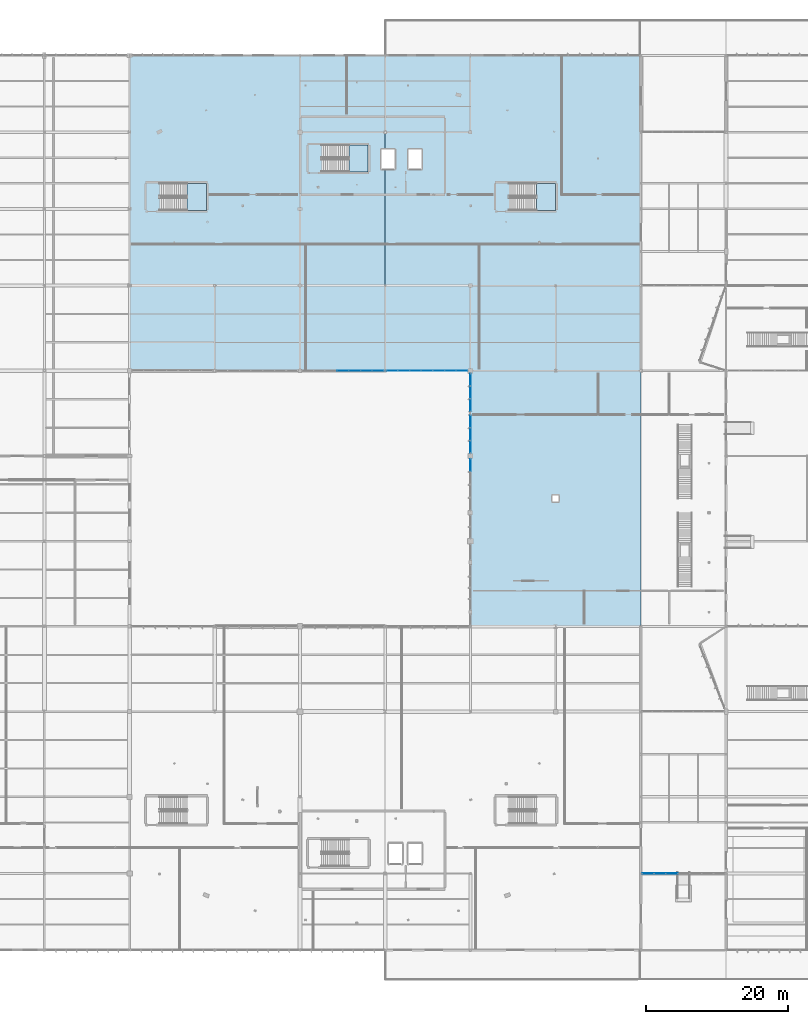
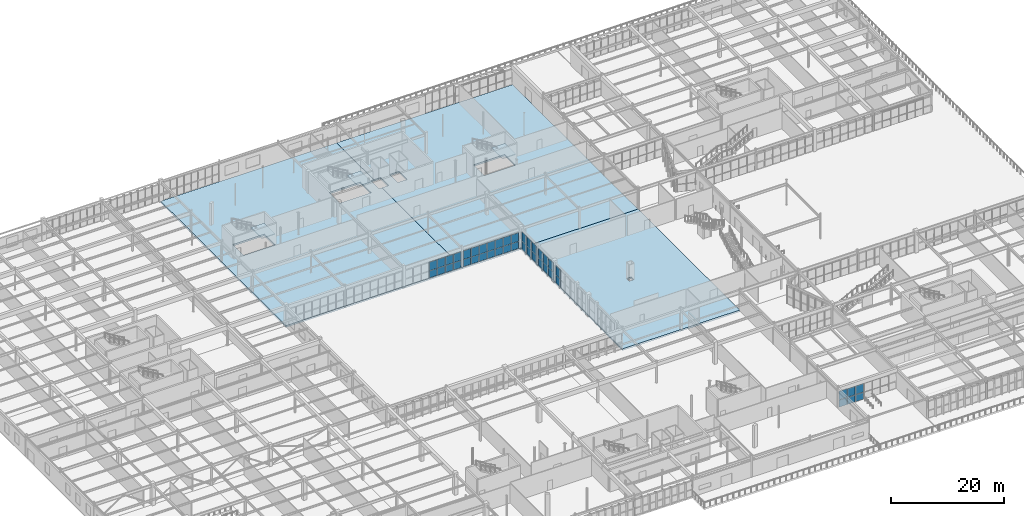
# One storey, part 121 of 199: 42 plates, 6 slabs, 9 elements without a shape of their own.
"""IFC4 building model written with IfcOpenShell, lengths in metres."""

from ifc_helpers import new_model, si_unit, direction, frame, origin, origin_2d, place, context, subcontext, project, spatial, polyline, rectangle, outline, extrude, material, layer, layer_set, type_object, element, aggregate, save


model = new_model("IFC4")

# Units and contexts
model_context = context("Model", 3, precision=1e-05, world=origin(), true_north=direction((0.0, 1.0)))
body_context = subcontext(model_context, "Body", "Model", "MODEL_VIEW")
ifc_project = project(units=[si_unit("LENGTHUNIT", "METRE"), si_unit("AREAUNIT", "SQUARE_METRE"), si_unit("VOLUMEUNIT", "CUBIC_METRE"), si_unit("PLANEANGLEUNIT", "RADIAN"), si_unit("MASSUNIT", "GRAM", prefix="KILO")], contexts=[model_context])

# Site, building, storey
site_placement = place(None, origin())
site = spatial("IfcSite", under=ifc_project, at=site_placement, CompositionType="ELEMENT")
building_placement = place(site_placement, origin())
building = spatial("IfcBuilding", under=site, at=building_placement, Name="Tarnwether General Hospital", CompositionType="ELEMENT")
storey_placement = place(building_placement, origin())
storey = spatial("IfcBuildingStorey", under=building, at=storey_placement, Name="L00", CompositionType="ELEMENT", Elevation=0.0)

# Curtain wall, plates
ifc_material_1 = material(Name="Anodised aluminium", Category="aluminium")
ifc_layer_1 = layer(ifc_material_1, 0.179931640625)
ifc_layer_set_1 = layer_set([ifc_layer_1], Name="Anodised aluminium")
curtain_wall_type_1 = type_object("IfcCurtainWallType", Name="CW-08", PredefinedType="NOTDEFINED", material=ifc_layer_set_1)
curtain_wall_1_placement = place(storey_placement, origin())
curtain_wall_1 = element("IfcCurtainWall", 1, at=curtain_wall_1_placement, inside=storey, type_object=curtain_wall_type_1, Name="Curtain Wall CWG-L00-1080_619-0302", PredefinedType="NOTDEFINED")
ifc_material_2 = material(Name="Double glazed low-E glass", Category="glass")
ifc_layer_2 = layer(ifc_material_2, 0.028076171875)
ifc_layer_set_2 = layer_set([ifc_layer_2], Name="Double glazed low-E glass")
plate_type = type_object("IfcPlateType", Name="PT-CWP1", PredefinedType="CURTAIN_PANEL", material=ifc_layer_set_2)
plate_1_placement = place(storey_placement, frame((108.0, 68.29150390625, 0.06005859375), z_axis=(0.0, 0.0, 1.0), x_axis=(0.0, 1.0, 0.0)))
plate_1 = element("IfcPlate", 2, at=plate_1_placement, type_object=plate_type, Name="CW-08 panel 4.1", PredefinedType="CURTAIN_PANEL", context=body_context, shape_type="SweptSolid", body=[
    extrude(rectangle(XDim=1.73095703125, YDim=0.028076171875, at=origin_2d()), origin(), (0.0, 0.0, 1.0), 1.63037109375),
])
plate_2_placement = place(storey_placement, frame((108.0, 68.29150390625, 1.750244140625), z_axis=(0.0, 0.0, 1.0), x_axis=(0.0, 1.0, 0.0)))
plate_2 = element("IfcPlate", 3, at=plate_2_placement, type_object=plate_type, Name="CW-08 panel 4.2", PredefinedType="CURTAIN_PANEL", context=body_context, shape_type="SweptSolid", body=[
    extrude(rectangle(XDim=1.73095703125, YDim=0.028076171875, at=origin_2d()), origin(), (0.0, 0.0, 1.0), 2.0126953125),
])
aggregate(curtain_wall_1, [plate_1, plate_2])

curtain_wall_2_placement = place(storey_placement, origin())
curtain_wall_2 = element("IfcCurtainWall", 4, at=curtain_wall_2_placement, inside=storey, type_object=curtain_wall_type_1, Name="Curtain Wall CWG-L00-1080_700-0303", PredefinedType="NOTDEFINED")
plate_3_placement = place(storey_placement, frame((108.0, 70.89111328125, 0.06005859375), z_axis=(0.0, 0.0, 1.0), x_axis=(0.0, 1.0, 0.0)))
plate_3 = element("IfcPlate", 5, at=plate_3_placement, type_object=plate_type, Name="CW-08 panel 1.1", PredefinedType="CURTAIN_PANEL", context=body_context, shape_type="SweptSolid", body=[
    extrude(rectangle(XDim=1.6962890625, YDim=0.028076171875, at=origin_2d()), origin(), (0.0, 0.0, 1.0), 1.632568359375),
])
plate_4_placement = place(storey_placement, frame((108.0, 70.89111328125, 1.75244140625), z_axis=(0.0, 0.0, 1.0), x_axis=(0.0, 1.0, 0.0)))
plate_4 = element("IfcPlate", 6, at=plate_4_placement, type_object=plate_type, Name="CW-08 panel 1.2", PredefinedType="CURTAIN_PANEL", context=body_context, shape_type="SweptSolid", body=[
    extrude(rectangle(XDim=1.6962890625, YDim=0.028076171875, at=origin_2d()), origin(), (0.0, 0.0, 1.0), 2.015380859375),
])
plate_5_placement = place(storey_placement, frame((108.0, 72.66259765625, 0.06005859375), z_axis=(0.0, 0.0, 1.0), x_axis=(0.0, 1.0, 0.0)))
plate_5 = element("IfcPlate", 7, at=plate_5_placement, type_object=plate_type, Name="CW-08 panel 2.1", PredefinedType="CURTAIN_PANEL", context=body_context, shape_type="SweptSolid", body=[
    extrude(rectangle(XDim=1.726318359375, YDim=0.028076171875, at=origin_2d()), origin(), (0.0, 0.0, 1.0), 1.632568359375),
])
plate_6_placement = place(storey_placement, frame((108.0, 72.66259765625, 1.75244140625), z_axis=(0.0, 0.0, 1.0), x_axis=(0.0, 1.0, 0.0)))
plate_6 = element("IfcPlate", 8, at=plate_6_placement, type_object=plate_type, Name="CW-08 panel 2.2", PredefinedType="CURTAIN_PANEL", context=body_context, shape_type="SweptSolid", body=[
    extrude(rectangle(XDim=1.726318359375, YDim=0.028076171875, at=origin_2d()), origin(), (0.0, 0.0, 1.0), 2.015380859375),
])
plate_7_placement = place(storey_placement, frame((108.0, 74.433837890625, 0.06005859375), z_axis=(0.0, 0.0, 1.0), x_axis=(0.0, 1.0, 0.0)))
plate_7 = element("IfcPlate", 9, at=plate_7_placement, type_object=plate_type, Name="CW-08 panel 3.1", PredefinedType="CURTAIN_PANEL", context=body_context, shape_type="SweptSolid", body=[
    extrude(rectangle(XDim=1.6962890625, YDim=0.028076171875, at=origin_2d()), origin(), (0.0, 0.0, 1.0), 1.632568359375),
])
plate_8_placement = place(storey_placement, frame((108.0, 74.433837890625, 1.75244140625), z_axis=(0.0, 0.0, 1.0), x_axis=(0.0, 1.0, 0.0)))
plate_8 = element("IfcPlate", 10, at=plate_8_placement, type_object=plate_type, Name="CW-08 panel 3.2", PredefinedType="CURTAIN_PANEL", context=body_context, shape_type="SweptSolid", body=[
    extrude(rectangle(XDim=1.6962890625, YDim=0.028076171875, at=origin_2d()), origin(), (0.0, 0.0, 1.0), 2.015380859375),
])
aggregate(curtain_wall_2, [plate_3, plate_4, plate_5, plate_6, plate_7, plate_8])

curtain_wall_3_placement = place(storey_placement, origin())
curtain_wall_3 = element("IfcCurtainWall", 11, at=curtain_wall_3_placement, inside=storey, type_object=curtain_wall_type_1, Name="Curtain Wall CWG-L00-1080_759-0304", PredefinedType="NOTDEFINED")
plate_9_placement = place(storey_placement, frame((108.0, 76.770263671875, 0.06005859375), z_axis=(0.0, 0.0, 1.0), x_axis=(0.0, 1.0, 0.0)))
plate_9 = element("IfcPlate", 12, at=plate_9_placement, type_object=plate_type, Name="CW-08 panel 1.1", PredefinedType="CURTAIN_PANEL", context=body_context, shape_type="SweptSolid", body=[
    extrude(rectangle(XDim=1.70458984375, YDim=0.028076171875, at=origin_2d()), origin(), (0.0, 0.0, 1.0), 1.632568359375),
])
plate_10_placement = place(storey_placement, frame((108.0, 76.770263671875, 1.75244140625), z_axis=(0.0, 0.0, 1.0), x_axis=(0.0, 1.0, 0.0)))
plate_10 = element("IfcPlate", 13, at=plate_10_placement, type_object=plate_type, Name="CW-08 panel 1.2", PredefinedType="CURTAIN_PANEL", context=body_context, shape_type="SweptSolid", body=[
    extrude(rectangle(XDim=1.70458984375, YDim=0.028076171875, at=origin_2d()), origin(), (0.0, 0.0, 1.0), 2.015380859375),
])
plate_11_placement = place(storey_placement, frame((108.0, 78.550048828125, 0.06005859375), z_axis=(0.0, 0.0, 1.0), x_axis=(0.0, 1.0, 0.0)))
plate_11 = element("IfcPlate", 14, at=plate_11_placement, type_object=plate_type, Name="CW-08 panel 2.1", PredefinedType="CURTAIN_PANEL", context=body_context, shape_type="SweptSolid", body=[
    extrude(rectangle(XDim=1.734619140625, YDim=0.028076171875, at=origin_2d()), origin(), (0.0, 0.0, 1.0), 1.632568359375),
])
plate_12_placement = place(storey_placement, frame((108.0, 78.550048828125, 1.75244140625), z_axis=(0.0, 0.0, 1.0), x_axis=(0.0, 1.0, 0.0)))
plate_12 = element("IfcPlate", 15, at=plate_12_placement, type_object=plate_type, Name="CW-08 panel 2.2", PredefinedType="CURTAIN_PANEL", context=body_context, shape_type="SweptSolid", body=[
    extrude(rectangle(XDim=1.734619140625, YDim=0.028076171875, at=origin_2d()), origin(), (0.0, 0.0, 1.0), 2.015380859375),
])
plate_13_placement = place(storey_placement, frame((108.0, 80.32958984375, 0.06005859375), z_axis=(0.0, 0.0, 1.0), x_axis=(0.0, 1.0, 0.0)))
plate_13 = element("IfcPlate", 16, at=plate_13_placement, type_object=plate_type, Name="CW-08 panel 3.1", PredefinedType="CURTAIN_PANEL", context=body_context, shape_type="SweptSolid", body=[
    extrude(rectangle(XDim=1.70458984375, YDim=0.028076171875, at=origin_2d()), origin(), (0.0, 0.0, 1.0), 1.632568359375),
])
plate_14_placement = place(storey_placement, frame((108.0, 80.32958984375, 1.75244140625), z_axis=(0.0, 0.0, 1.0), x_axis=(0.0, 1.0, 0.0)))
plate_14 = element("IfcPlate", 17, at=plate_14_placement, type_object=plate_type, Name="CW-08 panel 3.2", PredefinedType="CURTAIN_PANEL", context=body_context, shape_type="SweptSolid", body=[
    extrude(rectangle(XDim=1.70458984375, YDim=0.028076171875, at=origin_2d()), origin(), (0.0, 0.0, 1.0), 2.015380859375),
])
aggregate(curtain_wall_3, [plate_9, plate_10, plate_11, plate_12, plate_13, plate_14])

ifc_material_3 = material(Name="Anodised aluminium", Category="aluminium")
ifc_layer_3 = layer(ifc_material_3, 0.159912109375)
ifc_layer_set_3 = layer_set([ifc_layer_3], Name="Anodised aluminium")
curtain_wall_type_2 = type_object("IfcCurtainWallType", Name="CW-23", PredefinedType="NOTDEFINED", material=ifc_layer_set_3)
curtain_wall_4_placement = place(storey_placement, origin())
curtain_wall_4 = element("IfcCurtainWall", 18, at=curtain_wall_4_placement, inside=storey, type_object=curtain_wall_type_2, Name="Curtain Wall CWG-L00-843_816-0307", PredefinedType="NOTDEFINED")
plate_15_placement = place(storey_placement, frame((90.049072265625, 81.60009765625, 0.06005859375), z_axis=(0.0, 0.0, 1.0), x_axis=(1.0, 0.0, 0.0)))
plate_15 = element("IfcPlate", 19, at=plate_15_placement, type_object=plate_type, Name="CW-23 panel 4.1", PredefinedType="CURTAIN_PANEL", context=body_context, shape_type="SweptSolid", body=[
    extrude(rectangle(XDim=1.594482421875, YDim=0.028076171875, at=origin_2d()), origin(), (0.0, 0.0, 1.0), 1.49853515625),
])
plate_16_placement = place(storey_placement, frame((90.049072265625, 81.60009765625, 1.618408203125), z_axis=(0.0, 0.0, 1.0), x_axis=(1.0, 0.0, 0.0)))
plate_16 = element("IfcPlate", 20, at=plate_16_placement, type_object=plate_type, Name="CW-23 panel 4.2", PredefinedType="CURTAIN_PANEL", context=body_context, shape_type="SweptSolid", body=[
    extrude(rectangle(XDim=1.594482421875, YDim=0.028076171875, at=origin_2d()), origin(), (0.0, 0.0, 1.0), 1.8515625),
])
plate_17_placement = place(storey_placement, frame((91.70361328125, 81.60009765625, 0.06005859375), z_axis=(0.0, 0.0, 1.0), x_axis=(1.0, 0.0, 0.0)))
plate_17 = element("IfcPlate", 21, at=plate_17_placement, type_object=plate_type, Name="CW-23 panel 5.1", PredefinedType="CURTAIN_PANEL", context=body_context, shape_type="SweptSolid", body=[
    extrude(rectangle(XDim=1.594482421875, YDim=0.028076171875, at=origin_2d()), origin(), (0.0, 0.0, 1.0), 1.49853515625),
])
plate_18_placement = place(storey_placement, frame((91.70361328125, 81.60009765625, 1.618408203125), z_axis=(0.0, 0.0, 1.0), x_axis=(1.0, 0.0, 0.0)))
plate_18 = element("IfcPlate", 22, at=plate_18_placement, type_object=plate_type, Name="CW-23 panel 5.2", PredefinedType="CURTAIN_PANEL", context=body_context, shape_type="SweptSolid", body=[
    extrude(rectangle(XDim=1.594482421875, YDim=0.028076171875, at=origin_2d()), origin(), (0.0, 0.0, 1.0), 1.8515625),
])
plate_19_placement = place(storey_placement, frame((93.358154296875, 81.60009765625, 0.06005859375), z_axis=(0.0, 0.0, 1.0), x_axis=(1.0, 0.0, 0.0)))
plate_19 = element("IfcPlate", 23, at=plate_19_placement, type_object=plate_type, Name="CW-23 panel 6.1", PredefinedType="CURTAIN_PANEL", context=body_context, shape_type="SweptSolid", body=[
    extrude(rectangle(XDim=1.594482421875, YDim=0.028076171875, at=origin_2d()), origin(), (0.0, 0.0, 1.0), 1.49853515625),
])
plate_20_placement = place(storey_placement, frame((93.358154296875, 81.60009765625, 1.618408203125), z_axis=(0.0, 0.0, 1.0), x_axis=(1.0, 0.0, 0.0)))
plate_20 = element("IfcPlate", 24, at=plate_20_placement, type_object=plate_type, Name="CW-23 panel 6.2", PredefinedType="CURTAIN_PANEL", context=body_context, shape_type="SweptSolid", body=[
    extrude(rectangle(XDim=1.594482421875, YDim=0.028076171875, at=origin_2d()), origin(), (0.0, 0.0, 1.0), 1.8515625),
])
plate_21_placement = place(storey_placement, frame((94.997802734375, 81.60009765625, 0.06005859375), z_axis=(0.0, 0.0, 1.0), x_axis=(1.0, 0.0, 0.0)))
plate_21 = element("IfcPlate", 25, at=plate_21_placement, type_object=plate_type, Name="CW-23 panel 7.1", PredefinedType="CURTAIN_PANEL", context=body_context, shape_type="SweptSolid", body=[
    extrude(rectangle(XDim=1.564453125, YDim=0.028076171875, at=origin_2d()), origin(), (0.0, 0.0, 1.0), 1.49853515625),
])
plate_22_placement = place(storey_placement, frame((94.997802734375, 81.60009765625, 1.618408203125), z_axis=(0.0, 0.0, 1.0), x_axis=(1.0, 0.0, 0.0)))
plate_22 = element("IfcPlate", 26, at=plate_22_placement, type_object=plate_type, Name="CW-23 panel 7.2", PredefinedType="CURTAIN_PANEL", context=body_context, shape_type="SweptSolid", body=[
    extrude(rectangle(XDim=1.564453125, YDim=0.028076171875, at=origin_2d()), origin(), (0.0, 0.0, 1.0), 1.8515625),
])
aggregate(curtain_wall_4, [plate_15, plate_16, plate_17, plate_18, plate_19, plate_20, plate_21, plate_22])

curtain_wall_5_placement = place(storey_placement, origin())
curtain_wall_5 = element("IfcCurtainWall", 27, at=curtain_wall_5_placement, inside=storey, type_object=curtain_wall_type_2, Name="Curtain Wall CWG-L00-962_816-0308", PredefinedType="NOTDEFINED")
plate_23_placement = place(storey_placement, frame((96.9951171875, 81.60009765625, 0.06005859375), z_axis=(0.0, 0.0, 1.0), x_axis=(1.0, 0.0, 0.0)))
plate_23 = element("IfcPlate", 28, at=plate_23_placement, type_object=plate_type, Name="CW-23 panel 1.1", PredefinedType="CURTAIN_PANEL", context=body_context, shape_type="SweptSolid", body=[
    extrude(rectangle(XDim=1.55029296875, YDim=0.028076171875, at=origin_2d()), origin(), (0.0, 0.0, 1.0), 1.49853515625),
])
plate_24_placement = place(storey_placement, frame((96.9951171875, 81.60009765625, 1.618408203125), z_axis=(0.0, 0.0, 1.0), x_axis=(1.0, 0.0, 0.0)))
plate_24 = element("IfcPlate", 29, at=plate_24_placement, type_object=plate_type, Name="CW-23 panel 1.2", PredefinedType="CURTAIN_PANEL", context=body_context, shape_type="SweptSolid", body=[
    extrude(rectangle(XDim=1.55029296875, YDim=0.028076171875, at=origin_2d()), origin(), (0.0, 0.0, 1.0), 1.8515625),
])
plate_25_placement = place(storey_placement, frame((98.620361328125, 81.60009765625, 0.06005859375), z_axis=(0.0, 0.0, 1.0), x_axis=(1.0, 0.0, 0.0)))
plate_25 = element("IfcPlate", 30, at=plate_25_placement, type_object=plate_type, Name="CW-23 panel 2.1", PredefinedType="CURTAIN_PANEL", context=body_context, shape_type="SweptSolid", body=[
    extrude(rectangle(XDim=1.580322265625, YDim=0.028076171875, at=origin_2d()), origin(), (0.0, 0.0, 1.0), 1.49853515625),
])
plate_26_placement = place(storey_placement, frame((98.620361328125, 81.60009765625, 1.618408203125), z_axis=(0.0, 0.0, 1.0), x_axis=(1.0, 0.0, 0.0)))
plate_26 = element("IfcPlate", 31, at=plate_26_placement, type_object=plate_type, Name="CW-23 panel 2.2", PredefinedType="CURTAIN_PANEL", context=body_context, shape_type="SweptSolid", body=[
    extrude(rectangle(XDim=1.580322265625, YDim=0.028076171875, at=origin_2d()), origin(), (0.0, 0.0, 1.0), 1.8515625),
])
plate_27_placement = place(storey_placement, frame((100.2607421875, 81.60009765625, 0.06005859375), z_axis=(0.0, 0.0, 1.0), x_axis=(1.0, 0.0, 0.0)))
plate_27 = element("IfcPlate", 32, at=plate_27_placement, type_object=plate_type, Name="CW-23 panel 3.1", PredefinedType="CURTAIN_PANEL", context=body_context, shape_type="SweptSolid", body=[
    extrude(rectangle(XDim=1.580322265625, YDim=0.028076171875, at=origin_2d()), origin(), (0.0, 0.0, 1.0), 1.49853515625),
])
plate_28_placement = place(storey_placement, frame((100.2607421875, 81.60009765625, 1.618408203125), z_axis=(0.0, 0.0, 1.0), x_axis=(1.0, 0.0, 0.0)))
plate_28 = element("IfcPlate", 33, at=plate_28_placement, type_object=plate_type, Name="CW-23 panel 3.2", PredefinedType="CURTAIN_PANEL", context=body_context, shape_type="SweptSolid", body=[
    extrude(rectangle(XDim=1.580322265625, YDim=0.028076171875, at=origin_2d()), origin(), (0.0, 0.0, 1.0), 1.8515625),
])
plate_29_placement = place(storey_placement, frame((101.90087890625, 81.60009765625, 0.06005859375), z_axis=(0.0, 0.0, 1.0), x_axis=(1.0, 0.0, 0.0)))
plate_29 = element("IfcPlate", 34, at=plate_29_placement, type_object=plate_type, Name="CW-23 panel 4.1", PredefinedType="CURTAIN_PANEL", context=body_context, shape_type="SweptSolid", body=[
    extrude(rectangle(XDim=1.580322265625, YDim=0.028076171875, at=origin_2d()), origin(), (0.0, 0.0, 1.0), 1.49853515625),
])
plate_30_placement = place(storey_placement, frame((101.90087890625, 81.60009765625, 1.618408203125), z_axis=(0.0, 0.0, 1.0), x_axis=(1.0, 0.0, 0.0)))
plate_30 = element("IfcPlate", 35, at=plate_30_placement, type_object=plate_type, Name="CW-23 panel 4.2", PredefinedType="CURTAIN_PANEL", context=body_context, shape_type="SweptSolid", body=[
    extrude(rectangle(XDim=1.580322265625, YDim=0.028076171875, at=origin_2d()), origin(), (0.0, 0.0, 1.0), 1.8515625),
])
plate_31_placement = place(storey_placement, frame((103.541259765625, 81.60009765625, 0.06005859375), z_axis=(0.0, 0.0, 1.0), x_axis=(1.0, 0.0, 0.0)))
plate_31 = element("IfcPlate", 36, at=plate_31_placement, type_object=plate_type, Name="CW-23 panel 5.1", PredefinedType="CURTAIN_PANEL", context=body_context, shape_type="SweptSolid", body=[
    extrude(rectangle(XDim=1.580322265625, YDim=0.028076171875, at=origin_2d()), origin(), (0.0, 0.0, 1.0), 1.49853515625),
])
plate_32_placement = place(storey_placement, frame((103.541259765625, 81.60009765625, 1.618408203125), z_axis=(0.0, 0.0, 1.0), x_axis=(1.0, 0.0, 0.0)))
plate_32 = element("IfcPlate", 37, at=plate_32_placement, type_object=plate_type, Name="CW-23 panel 5.2", PredefinedType="CURTAIN_PANEL", context=body_context, shape_type="SweptSolid", body=[
    extrude(rectangle(XDim=1.580322265625, YDim=0.028076171875, at=origin_2d()), origin(), (0.0, 0.0, 1.0), 1.8515625),
])
plate_33_placement = place(storey_placement, frame((105.181640625, 81.60009765625, 0.06005859375), z_axis=(0.0, 0.0, 1.0), x_axis=(1.0, 0.0, 0.0)))
plate_33 = element("IfcPlate", 38, at=plate_33_placement, type_object=plate_type, Name="CW-23 panel 6.1", PredefinedType="CURTAIN_PANEL", context=body_context, shape_type="SweptSolid", body=[
    extrude(rectangle(XDim=1.580322265625, YDim=0.028076171875, at=origin_2d()), origin(), (0.0, 0.0, 1.0), 1.49853515625),
])
plate_34_placement = place(storey_placement, frame((105.181640625, 81.60009765625, 1.618408203125), z_axis=(0.0, 0.0, 1.0), x_axis=(1.0, 0.0, 0.0)))
plate_34 = element("IfcPlate", 39, at=plate_34_placement, type_object=plate_type, Name="CW-23 panel 6.2", PredefinedType="CURTAIN_PANEL", context=body_context, shape_type="SweptSolid", body=[
    extrude(rectangle(XDim=1.580322265625, YDim=0.028076171875, at=origin_2d()), origin(), (0.0, 0.0, 1.0), 1.8515625),
])
plate_35_placement = place(storey_placement, frame((106.806884765625, 81.60009765625, 0.06005859375), z_axis=(0.0, 0.0, 1.0), x_axis=(1.0, 0.0, 0.0)))
plate_35 = element("IfcPlate", 40, at=plate_35_placement, type_object=plate_type, Name="CW-23 panel 7.1", PredefinedType="CURTAIN_PANEL", context=body_context, shape_type="SweptSolid", body=[
    extrude(rectangle(XDim=1.55029296875, YDim=0.028076171875, at=origin_2d()), origin(), (0.0, 0.0, 1.0), 1.49853515625),
])
plate_36_placement = place(storey_placement, frame((106.806884765625, 81.60009765625, 1.618408203125), z_axis=(0.0, 0.0, 1.0), x_axis=(1.0, 0.0, 0.0)))
plate_36 = element("IfcPlate", 41, at=plate_36_placement, type_object=plate_type, Name="CW-23 panel 7.2", PredefinedType="CURTAIN_PANEL", context=body_context, shape_type="SweptSolid", body=[
    extrude(rectangle(XDim=1.55029296875, YDim=0.028076171875, at=origin_2d()), origin(), (0.0, 0.0, 1.0), 1.8515625),
])
aggregate(curtain_wall_5, [plate_23, plate_24, plate_25, plate_26, plate_27, plate_28, plate_29, plate_30, plate_31, plate_32, plate_33, plate_34, plate_35, plate_36])

ifc_material_4 = material(Name="Anodised aluminium", Category="aluminium")
ifc_layer_4 = layer(ifc_material_4, 0.159912109375)
ifc_layer_set_4 = layer_set([ifc_layer_4], Name="Anodised aluminium")
curtain_wall_type_3 = type_object("IfcCurtainWallType", Name="CW-10", PredefinedType="NOTDEFINED", material=ifc_layer_set_4)
curtain_wall_6_placement = place(storey_placement, origin())
curtain_wall_6 = element("IfcCurtainWall", 42, at=curtain_wall_6_placement, inside=storey, type_object=curtain_wall_type_3, Name="Curtain Wall CWG-L00-1439_108-0314", PredefinedType="NOTDEFINED")
plate_37_placement = place(storey_placement, frame((136.364013671875, 10.800048828125, 0.06005859375), z_axis=(0.0, 0.0, 1.0), x_axis=(-1.0, 0.0, 0.0)))
plate_37 = element("IfcPlate", 43, at=plate_37_placement, type_object=plate_type, Name="CW-10 panel 5.1", PredefinedType="CURTAIN_PANEL", context=body_context, shape_type="SweptSolid", body=[
    extrude(rectangle(XDim=1.618408203125, YDim=0.028076171875, at=origin_2d()), origin(), (0.0, 0.0, 1.0), 1.49853515625),
])
plate_38_placement = place(storey_placement, frame((136.364013671875, 10.800048828125, 1.618408203125), z_axis=(0.0, 0.0, 1.0), x_axis=(-1.0, 0.0, 0.0)))
plate_38 = element("IfcPlate", 44, at=plate_38_placement, type_object=plate_type, Name="CW-10 panel 5.2", PredefinedType="CURTAIN_PANEL", context=body_context, shape_type="SweptSolid", body=[
    extrude(rectangle(XDim=1.618408203125, YDim=0.028076171875, at=origin_2d()), origin(), (0.0, 0.0, 1.0), 1.8515625),
])
plate_39_placement = place(storey_placement, frame((134.685546875, 10.800048828125, 0.06005859375), z_axis=(0.0, 0.0, 1.0), x_axis=(-1.0, 0.0, 0.0)))
plate_39 = element("IfcPlate", 45, at=plate_39_placement, type_object=plate_type, Name="CW-10 panel 6.1", PredefinedType="CURTAIN_PANEL", context=body_context, shape_type="SweptSolid", body=[
    extrude(rectangle(XDim=1.618408203125, YDim=0.028076171875, at=origin_2d()), origin(), (0.0, 0.0, 1.0), 1.49853515625),
])
plate_40_placement = place(storey_placement, frame((134.685546875, 10.800048828125, 1.618408203125), z_axis=(0.0, 0.0, 1.0), x_axis=(-1.0, 0.0, 0.0)))
plate_40 = element("IfcPlate", 46, at=plate_40_placement, type_object=plate_type, Name="CW-10 panel 6.2", PredefinedType="CURTAIN_PANEL", context=body_context, shape_type="SweptSolid", body=[
    extrude(rectangle(XDim=1.618408203125, YDim=0.028076171875, at=origin_2d()), origin(), (0.0, 0.0, 1.0), 1.8515625),
])
plate_41_placement = place(storey_placement, frame((133.022216796875, 10.800048828125, 0.06005859375), z_axis=(0.0, 0.0, 1.0), x_axis=(-1.0, 0.0, 0.0)))
plate_41 = element("IfcPlate", 47, at=plate_41_placement, type_object=plate_type, Name="CW-10 panel 7.1", PredefinedType="CURTAIN_PANEL", context=body_context, shape_type="SweptSolid", body=[
    extrude(rectangle(XDim=1.58837890625, YDim=0.028076171875, at=origin_2d()), origin(), (0.0, 0.0, 1.0), 1.49853515625),
])
plate_42_placement = place(storey_placement, frame((133.022216796875, 10.800048828125, 1.618408203125), z_axis=(0.0, 0.0, 1.0), x_axis=(-1.0, 0.0, 0.0)))
plate_42 = element("IfcPlate", 48, at=plate_42_placement, type_object=plate_type, Name="CW-10 panel 7.2", PredefinedType="CURTAIN_PANEL", context=body_context, shape_type="SweptSolid", body=[
    extrude(rectangle(XDim=1.58837890625, YDim=0.028076171875, at=origin_2d()), origin(), (0.0, 0.0, 1.0), 1.8515625),
])
aggregate(curtain_wall_6, [plate_37, plate_38, plate_39, plate_40, plate_41, plate_42])

# Slabs
ifc_material_5 = material(Name="Concrete 40 MPa", Category="concrete")
ifc_layer_5 = layer(ifc_material_5, 0.3701171875)
ifc_layer_set_5 = layer_set([ifc_layer_5], Name="Concrete 40 MPa")
slab_type_1 = type_object("IfcSlabType", Name="SL-FL260", PredefinedType="FLOOR", material=ifc_layer_set_5)
slab_1_placement = place(storey_placement, frame((0.0, 0.0, -0.3701171875)))
element("IfcSlab", 49, at=slab_1_placement, inside=storey, type_object=slab_type_1, Name="L00 North Diagnostic West Floor SL-L00-V4N1", PredefinedType="FLOOR", context=body_context, shape_type="SweptSolid", body=[
    extrude(outline(polyline([(96.0, 81.60009765625), (60.0, 81.60009765625), (60.0, 126.0), (96.0, 126.0), (96.0, 112.830078125), (95.419921875, 112.830078125), (95.419921875, 109.969970703125), (96.0, 109.969970703125), (96.0, 81.60009765625)]), holes=[polyline([(70.800048828125, 108.0), (64.3798828125, 108.0), (64.3798828125, 104.199951171875), (70.800048828125, 104.199951171875), (70.800048828125, 108.0)]), polyline([(93.60009765625, 113.39990234375), (87.179931640625, 113.39990234375), (87.179931640625, 109.60009765625), (93.60009765625, 109.60009765625), (93.60009765625, 113.39990234375)])]), origin(), (0.0, 0.0, 1.0), 0.3701171875),
])
slab_2_placement = place(storey_placement, frame((0.0, 0.0, -0.3701171875)))
element("IfcSlab", 50, at=slab_2_placement, inside=storey, type_object=slab_type_1, Name="L00 North Diagnostic East Floor SL-L00-V4N2", PredefinedType="FLOOR", context=body_context, shape_type="SweptSolid", body=[
    extrude(outline(polyline([(96.0, 126.0), (132.0, 126.0), (132.0, 81.60009765625), (96.0, 81.60009765625), (96.0, 109.969970703125), (97.3798828125, 109.969970703125), (97.3798828125, 112.830078125), (96.0, 112.830078125), (96.0, 126.0)]), holes=[polyline([(120.0, 108.0), (113.580078125, 108.0), (113.580078125, 104.199951171875), (120.0, 104.199951171875), (120.0, 108.0)]), polyline([(101.179931640625, 112.830078125), (99.219970703125, 112.830078125), (99.219970703125, 109.969970703125), (101.179931640625, 109.969970703125), (101.179931640625, 112.830078125)])]), origin(), (0.0, 0.0, 1.0), 0.3701171875),
])
slab_3_placement = place(storey_placement, frame((0.0, 0.0, -0.3701171875)))
element("IfcSlab", 51, at=slab_3_placement, inside=storey, type_object=slab_type_1, Name="L00 Main Hall West Floor SL-L00-V1W", PredefinedType="FLOOR", context=body_context, shape_type="SweptSolid", body=[
    extrude(outline(polyline([(108.0, 81.60009765625), (132.0, 81.60009765625), (132.0, 45.60009765625), (108.0, 45.60009765625), (108.0, 81.60009765625)]), holes=[polyline([(120.449951171875, 64.050048828125), (119.550048828125, 64.050048828125), (119.550048828125, 63.14990234375), (120.449951171875, 63.14990234375), (120.449951171875, 64.050048828125)])]), origin(), (0.0, 0.0, 1.0), 0.3701171875),
])

# Stair, slab
ifc_material_6 = material(Name="Concrete 40 MPa", Category="concrete")
stair_type_1 = type_object("IfcStairType", Name="ST-DL48A", PredefinedType="HALF_TURN_STAIR", material=ifc_material_6)
stair_1_placement = place(storey_placement, origin())
stair_1 = element("IfcStair", 52, at=stair_1_placement, inside=storey, type_object=stair_type_1, Name="L00 Exit Stair ST-01", PredefinedType="HALF_TURN_STAIR")
ifc_material_7 = material(Name="Concrete 40 MPa", Category="concrete")
ifc_layer_6 = layer(ifc_material_7, 0.199951171875)
ifc_layer_set_6 = layer_set([ifc_layer_6], Name="Concrete 40 MPa")
slab_type_2 = type_object("IfcSlabType", Name="SL-LD200", PredefinedType="LANDING", material=ifc_layer_set_6)
slab_4_placement = place(storey_placement, frame((0.0, 0.0, 2.199951171875)))
slab_4 = element("IfcSlab", 53, at=slab_4_placement, type_object=slab_type_2, Name="ST-01 landing 1", PredefinedType="LANDING", context=body_context, shape_type="SweptSolid", body=[
    extrude(outline(polyline([(90.89990234375, 109.60009765625), (93.60009765625, 109.60009765625), (93.60009765625, 113.39990234375), (90.89990234375, 113.39990234375), (90.89990234375, 109.60009765625)])), origin(), (0.0, 0.0, 1.0), 0.199951171875),
])
aggregate(stair_1, [slab_4])

stair_2_placement = place(storey_placement, origin())
stair_2 = element("IfcStair", 54, at=stair_2_placement, inside=storey, type_object=stair_type_1, Name="L00 Exit Stair ST-07", PredefinedType="HALF_TURN_STAIR")
slab_5_placement = place(storey_placement, frame((0.0, 0.0, 2.199951171875)))
slab_5 = element("IfcSlab", 55, at=slab_5_placement, type_object=slab_type_2, Name="ST-07 landing 1", PredefinedType="LANDING", context=body_context, shape_type="SweptSolid", body=[
    extrude(outline(polyline([(68.10009765625, 104.199951171875), (70.800048828125, 104.199951171875), (70.800048828125, 108.0), (68.10009765625, 108.0), (68.10009765625, 104.199951171875)])), origin(), (0.0, 0.0, 1.0), 0.199951171875),
])
aggregate(stair_2, [slab_5])

ifc_material_8 = material(Name="Concrete 40 MPa", Category="concrete")
stair_type_2 = type_object("IfcStairType", Name="ST-DL48B", PredefinedType="HALF_TURN_STAIR", material=ifc_material_8)
stair_3_placement = place(storey_placement, origin())
stair_3 = element("IfcStair", 56, at=stair_3_placement, inside=storey, type_object=stair_type_2, Name="L00 Exit Stair ST-08", PredefinedType="HALF_TURN_STAIR")
slab_6_placement = place(storey_placement, frame((0.0, 0.0, 2.199951171875)))
slab_6 = element("IfcSlab", 57, at=slab_6_placement, type_object=slab_type_2, Name="ST-08 landing 1", PredefinedType="LANDING", context=body_context, shape_type="SweptSolid", body=[
    extrude(outline(polyline([(117.300048828125, 104.199951171875), (120.0, 104.199951171875), (120.0, 108.0), (117.300048828125, 108.0), (117.300048828125, 104.199951171875)])), origin(), (0.0, 0.0, 1.0), 0.199951171875),
])
aggregate(stair_3, [slab_6])

save(model, "model.ifc")
